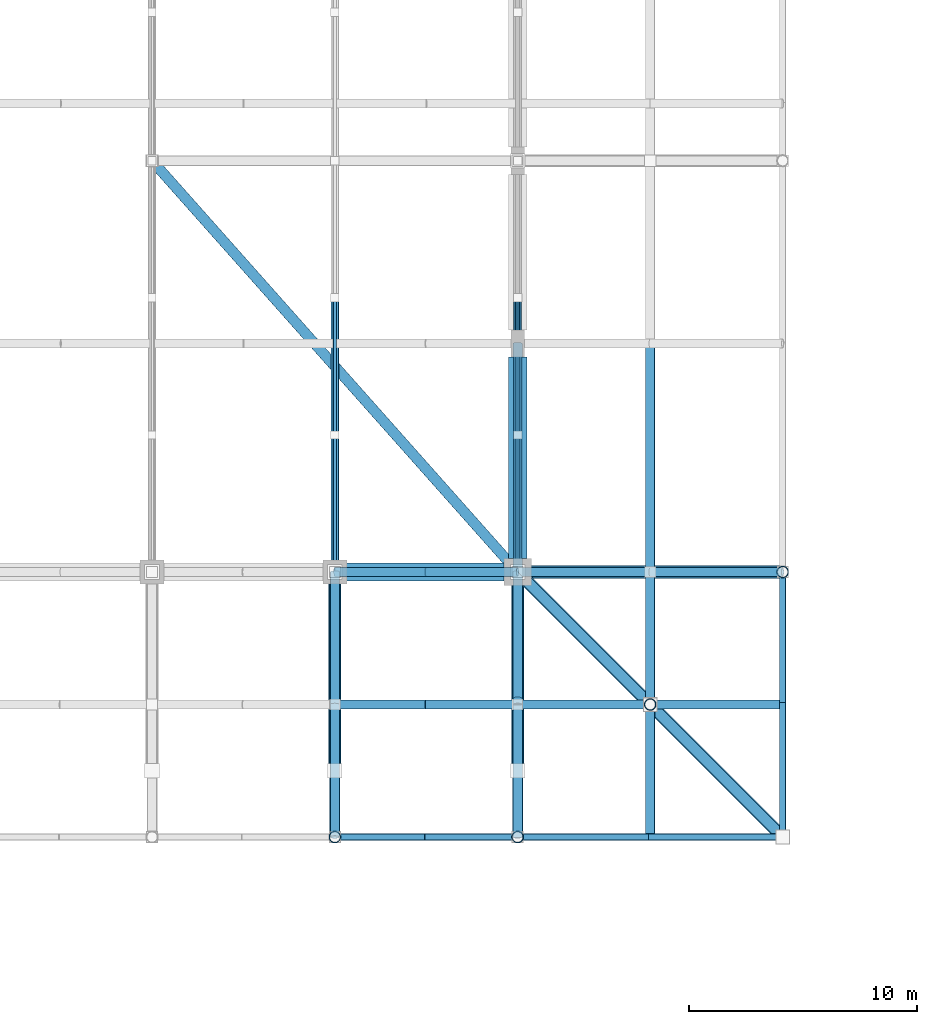
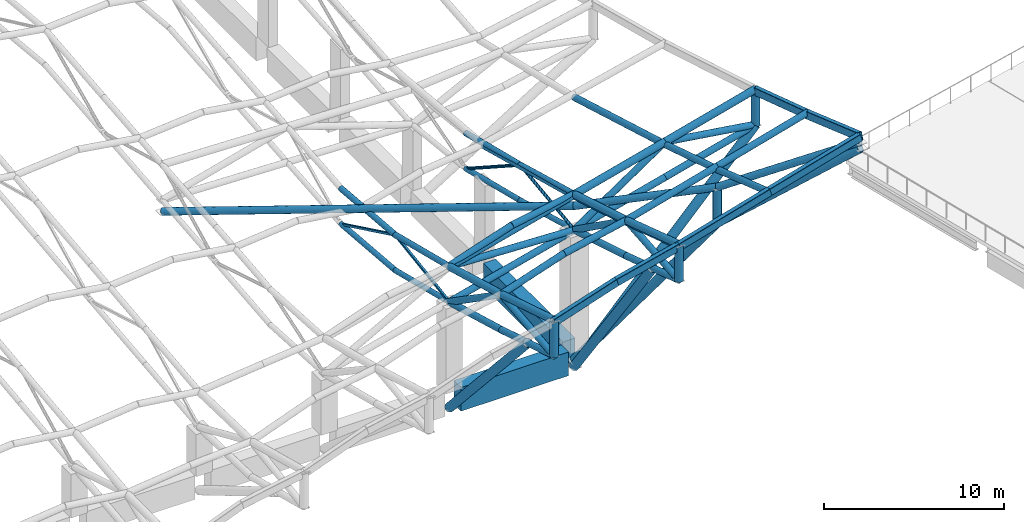
# One storey, part 22 of 75: 57 members, 8 beams.
"""IFC4 building model written with IfcOpenShell, lengths in metres."""

from ifc_helpers import new_model, si_unit, direction, frame, origin, origin_2d, place, context, subcontext, project, spatial, rectangle, hollow_rectangle, hollow_circle, extrude, material, material_profile, profile_set, type_object, element, save


model = new_model("IFC4")

# Units and contexts
model_context = context("Model", 3, precision=1e-05, world=origin(), true_north=direction((0.0, 1.0)))
body_context = subcontext(model_context, "Body", "Model", "MODEL_VIEW")
ifc_project = project(units=[si_unit("LENGTHUNIT", "METRE"), si_unit("AREAUNIT", "SQUARE_METRE"), si_unit("VOLUMEUNIT", "CUBIC_METRE"), si_unit("PLANEANGLEUNIT", "RADIAN"), si_unit("MASSUNIT", "GRAM", prefix="KILO")], contexts=[model_context])

# Site, building, storey
site_placement = place(None, origin())
site = spatial("IfcSite", under=ifc_project, at=site_placement, CompositionType="ELEMENT")
building_placement = place(site_placement, origin())
building = spatial("IfcBuilding", under=site, at=building_placement, Name="Khorjan Park Terminus", CompositionType="ELEMENT")
storey_placement = place(building_placement, frame((0.0, 0.0, 16.2)))
storey = spatial("IfcBuildingStorey", under=building, at=storey_placement, Name="L03", CompositionType="ELEMENT", Elevation=16.2)

# Members
ifc_material_1 = material(Name="Steel S355", Category="steel")
ifc_material_profile_1 = material_profile(ifc_material_1, hollow_circle(Radius=0.0969, WallThickness=0.01, at=origin_2d()), Name="CHS 193.7x10")
ifc_profile_set_1 = profile_set([ifc_material_profile_1], Name="Steel S355")
member_type_1 = type_object("IfcMemberType", Name="MB-BR-194", PredefinedType="BRACE", material=ifc_profile_set_1)
member_1_placement = place(storey_placement, frame((136.0, 26.0, 7.8196), z_axis=(0.0, 0.992247315967, 0.124278976325), x_axis=(-1.0, 0.0, 0.0)))
element("IfcMember", 1, at=member_1_placement, inside=storey, type_object=member_type_1, Name="Upper shell fold space-truss web diagonal (12)", PredefinedType="BRACE", context=body_context, shape_type="SweptSolid", body=[
    extrude(hollow_circle(Radius=0.0969, WallThickness=0.01, at=origin_2d()), origin(), (0.0, 0.0, 1.0), 6.0469),
])
member_2_placement = place(storey_placement, frame((136.0, 32.0, 8.5711), z_axis=(0.0, 0.839222492699, -0.543788201186), x_axis=(-1.0, 0.0, 0.0)))
element("IfcMember", 2, at=member_2_placement, inside=storey, type_object=member_type_1, Name="Upper shell fold space-truss web diagonal (12)", PredefinedType="BRACE", context=body_context, shape_type="SweptSolid", body=[
    extrude(hollow_circle(Radius=0.0969, WallThickness=0.01, at=origin_2d()), origin(), (0.0, 0.0, 1.0), 7.1495),
])
ifc_material_profile_2 = material_profile(ifc_material_1, hollow_rectangle(XDim=0.15, YDim=0.15, WallThickness=0.01, InnerFilletRadius=0.01, OuterFilletRadius=0.02, at=origin_2d()), Name="SHS 150x150x10")
ifc_profile_set_2 = profile_set([ifc_material_profile_2], Name="Steel S355")
member_type_2 = type_object("IfcMemberType", Name="MB-BR-SHS150", PredefinedType="BRACE", material=ifc_profile_set_2)
member_3_placement = place(storey_placement, frame((128.0, 26.0, 5.741), z_axis=(0.0, 0.988987074214, 0.148001915656), x_axis=(-1.0, 0.0, 0.0)))
element("IfcMember", 3, at=member_3_placement, inside=storey, type_object=member_type_2, Name="Upper shell fold space-truss web diagonal (11)", PredefinedType="BRACE", context=body_context, shape_type="SweptSolid", body=[
    extrude(hollow_rectangle(XDim=0.15, YDim=0.15, WallThickness=0.01, InnerFilletRadius=0.01, OuterFilletRadius=0.02, at=origin_2d()), origin(), (0.0, 0.0, 1.0), 6.0668),
])
member_4_placement = place(storey_placement, frame((128.0, 32.0, 6.6389), z_axis=(0.0, 0.900443010963, -0.434974003829), x_axis=(-1.0, 0.0, 0.0)))
element("IfcMember", 4, at=member_4_placement, inside=storey, type_object=member_type_2, Name="Upper shell fold space-truss web diagonal (11)", PredefinedType="BRACE", context=body_context, shape_type="SweptSolid", body=[
    extrude(hollow_rectangle(XDim=0.15, YDim=0.15, WallThickness=0.01, InnerFilletRadius=0.01, OuterFilletRadius=0.02, at=origin_2d()), origin(), (0.0, 0.0, 1.0), 6.6634),
])
ifc_material_profile_3 = material_profile(ifc_material_1, hollow_circle(Radius=0.162, WallThickness=0.0125, at=origin_2d()), Name="CHS 323.9x12.5")
ifc_profile_set_3 = profile_set([ifc_material_profile_3], Name="Steel S355")
member_type_3 = type_object("IfcMemberType", Name="MB-CH-324", PredefinedType="CHORD", material=ifc_profile_set_3)
member_5_placement = place(storey_placement, frame((128.0, 26.0, 5.741), z_axis=(0.0, 0.970062560013, -0.242855161899), x_axis=(-1.0, 0.0, 0.0)))
element("IfcMember", 5, at=member_5_placement, inside=storey, type_object=member_type_3, Name="Upper shell fold space-truss bottom chord (11)", PredefinedType="CHORD", context=body_context, shape_type="SweptSolid", body=[
    extrude(hollow_circle(Radius=0.162, WallThickness=0.0125, at=origin_2d()), origin(), (0.0, 0.0, 1.0), 6.1852),
])
member_6_placement = place(storey_placement, frame((128.0, 32.0, 4.2389), z_axis=(0.0, 0.996567716516, -0.082781558319), x_axis=(-1.0, 0.0, 0.0)))
element("IfcMember", 6, at=member_6_placement, inside=storey, type_object=member_type_3, Name="Upper shell fold space-truss bottom chord (11)", PredefinedType="CHORD", context=body_context, shape_type="SweptSolid", body=[
    extrude(hollow_circle(Radius=0.162, WallThickness=0.0125, at=origin_2d()), origin(), (0.0, 0.0, 1.0), 6.0207),
])
member_7_placement = place(storey_placement, frame((136.0, 26.0, 7.8196), z_axis=(0.0, 0.964266999163, -0.26493235802), x_axis=(-1.0, 0.0, 0.0)))
element("IfcMember", 7, at=member_7_placement, inside=storey, type_object=member_type_3, Name="Upper shell fold space-truss bottom chord (12)", PredefinedType="CHORD", context=body_context, shape_type="SweptSolid", body=[
    extrude(hollow_circle(Radius=0.162, WallThickness=0.0125, at=origin_2d()), origin(), (0.0, 0.0, 1.0), 6.2223),
])
member_8_placement = place(storey_placement, frame((136.0, 32.0, 6.1711), z_axis=(0.0, 0.970605089876, -0.240677708786), x_axis=(-1.0, 0.0, 0.0)))
element("IfcMember", 8, at=member_8_placement, inside=storey, type_object=member_type_3, Name="Upper shell fold space-truss bottom chord (12)", PredefinedType="CHORD", context=body_context, shape_type="SweptSolid", body=[
    extrude(hollow_circle(Radius=0.162, WallThickness=0.0125, at=origin_2d()), origin(), (0.0, 0.0, 1.0), 6.1817),
])
ifc_material_profile_4 = material_profile(ifc_material_1, hollow_circle(Radius=0.1778, WallThickness=0.016, at=origin_2d()), Name="CHS 355.6x16")
ifc_profile_set_4 = profile_set([ifc_material_profile_4], Name="Steel S355")
member_type_4 = type_object("IfcMemberType", Name="MB-CH-356", PredefinedType="CHORD", material=ifc_profile_set_4)
member_9_placement = place(storey_placement, frame((128.0, 26.0, 8.141), z_axis=(0.0, 0.970062560013, -0.242855161899), x_axis=(-1.0, 0.0, 0.0)))
element("IfcMember", 9, at=member_9_placement, inside=storey, type_object=member_type_4, Name="Upper shell fold space-truss top chord (11)", PredefinedType="CHORD", context=body_context, shape_type="SweptSolid", body=[
    extrude(hollow_circle(Radius=0.1778, WallThickness=0.016, at=origin_2d()), origin(), (0.0, 0.0, 1.0), 6.1852),
])
member_10_placement = place(storey_placement, frame((128.0, 32.0, 6.6389), z_axis=(0.0, 0.996567716516, -0.082781558319), x_axis=(-1.0, 0.0, 0.0)))
element("IfcMember", 10, at=member_10_placement, inside=storey, type_object=member_type_4, Name="Upper shell fold space-truss top chord (11)", PredefinedType="CHORD", context=body_context, shape_type="SweptSolid", body=[
    extrude(hollow_circle(Radius=0.1778, WallThickness=0.016, at=origin_2d()), origin(), (0.0, 0.0, 1.0), 6.0207),
])
member_11_placement = place(storey_placement, frame((136.0, 26.0, 10.2196), z_axis=(0.0, 0.964266999163, -0.26493235802), x_axis=(-1.0, 0.0, 0.0)))
element("IfcMember", 11, at=member_11_placement, inside=storey, type_object=member_type_4, Name="Upper shell fold space-truss top chord (12)", PredefinedType="CHORD", context=body_context, shape_type="SweptSolid", body=[
    extrude(hollow_circle(Radius=0.1778, WallThickness=0.016, at=origin_2d()), origin(), (0.0, 0.0, 1.0), 6.2223),
])
member_12_placement = place(storey_placement, frame((136.0, 32.0, 8.5711), z_axis=(0.0, 0.970605089876, -0.240677708786), x_axis=(-1.0, 0.0, 0.0)))
element("IfcMember", 12, at=member_12_placement, inside=storey, type_object=member_type_4, Name="Upper shell fold space-truss top chord (12)", PredefinedType="CHORD", context=body_context, shape_type="SweptSolid", body=[
    extrude(hollow_circle(Radius=0.1778, WallThickness=0.016, at=origin_2d()), origin(), (0.0, 0.0, 1.0), 6.1817),
])
ifc_material_profile_5 = material_profile(ifc_material_1, hollow_circle(Radius=0.2032, WallThickness=0.016, at=origin_2d()), Name="CHS 406.4x16")
ifc_profile_set_5 = profile_set([ifc_material_profile_5], Name="Steel S355")
member_type_5 = type_object("IfcMemberType", Name="MB-CH-406", PredefinedType="CHORD", material=ifc_profile_set_5)
member_13_placement = place(storey_placement, frame((128.0, 26.0, 5.741), z_axis=(0.967863743129, 0.0, 0.251475197059), x_axis=(0.0, 1.0, 0.0)))
element("IfcMember", 13, at=member_13_placement, inside=storey, type_object=member_type_5, Name="Upper shell longitudinal truss bottom chord (E1)", PredefinedType="CHORD", context=body_context, shape_type="SweptSolid", body=[
    extrude(hollow_circle(Radius=0.2032, WallThickness=0.016, at=origin_2d()), origin(), (0.0, 0.0, 1.0), 8.2656),
])
ifc_material_profile_6 = material_profile(ifc_material_1, hollow_circle(Radius=0.2285, WallThickness=0.016, at=origin_2d()), Name="CHS 457x16")
ifc_profile_set_6 = profile_set([ifc_material_profile_6], Name="Steel S355")
member_type_6 = type_object("IfcMemberType", Name="MB-CH-457", PredefinedType="CHORD", material=ifc_profile_set_6)
member_14_placement = place(storey_placement, frame((128.0, 26.0, 8.141), z_axis=(0.967863743129, 0.0, 0.251475197059), x_axis=(0.0, 1.0, 0.0)))
element("IfcMember", 14, at=member_14_placement, inside=storey, type_object=member_type_6, Name="Upper shell longitudinal truss top chord (E1)", PredefinedType="CHORD", context=body_context, shape_type="SweptSolid", body=[
    extrude(hollow_circle(Radius=0.2285, WallThickness=0.016, at=origin_2d()), origin(), (0.0, 0.0, 1.0), 8.2656),
])
ifc_material_profile_7 = material_profile(ifc_material_1, hollow_circle(Radius=0.2032, WallThickness=0.016, at=origin_2d()), Name="CHS 406.4x16")
ifc_profile_set_7 = profile_set([ifc_material_profile_7], Name="Steel S355")
member_type_7 = type_object("IfcMemberType", Name="MB-CHE-406", PredefinedType="CHORD", material=ifc_profile_set_7)
member_15_placement = place(storey_placement, frame((136.0, 14.4, 13.7621), z_axis=(0.0, 0.950488250775, -0.310760494818), x_axis=(-1.0, 0.0, 0.0)))
element("IfcMember", 15, at=member_15_placement, inside=storey, type_object=member_type_7, Name="Upper shell overhang fold purlin TCE-41 (Y21)", PredefinedType="CHORD", context=body_context, shape_type="SweptSolid", body=[
    extrude(hollow_circle(Radius=0.2032, WallThickness=0.016, at=origin_2d()), origin(), (0.0, 0.0, 1.0), 6.1021),
])
member_16_placement = place(storey_placement, frame((136.0, 20.2, 11.8658), z_axis=(0.0, 0.95754410517, -0.288286813181), x_axis=(-1.0, 0.0, 0.0)))
element("IfcMember", 16, at=member_16_placement, inside=storey, type_object=member_type_7, Name="Upper shell overhang fold purlin TCE-41 (Y22)", PredefinedType="CHORD", context=body_context, shape_type="SweptSolid", body=[
    extrude(hollow_circle(Radius=0.2032, WallThickness=0.016, at=origin_2d()), origin(), (0.0, 0.0, 1.0), 6.0572),
])
member_17_placement = place(storey_placement, frame((136.0, 26.0, 10.1196), z_axis=(0.0, 0.966438351588, -0.256898642619), x_axis=(-1.0, 0.0, 0.0)))
element("IfcMember", 17, at=member_17_placement, inside=storey, type_object=member_type_7, Name="Upper shell overhang fold purlin TCE-41 (Y23)", PredefinedType="CHORD", context=body_context, shape_type="SweptSolid", body=[
    extrude(hollow_circle(Radius=0.2032, WallThickness=0.016, at=origin_2d()), origin(), (0.0, 0.0, 1.0), 10.3473),
])
member_18_placement = place(storey_placement, frame((141.8, 14.4, 15.3711), z_axis=(0.0, 0.947051068771, -0.321082969247), x_axis=(-1.0, 0.0, 0.0)))
element("IfcMember", 18, at=member_18_placement, inside=storey, type_object=member_type_7, Name="Upper shell overhang fold purlin TCE-41 (Y31)", PredefinedType="CHORD", context=body_context, shape_type="SweptSolid", body=[
    extrude(hollow_circle(Radius=0.2032, WallThickness=0.016, at=origin_2d()), origin(), (0.0, 0.0, 1.0), 6.1243),
])
member_19_placement = place(storey_placement, frame((141.8, 20.2, 13.4047), z_axis=(0.0, 0.953789220294, -0.300476493676), x_axis=(-1.0, 0.0, 0.0)))
element("IfcMember", 19, at=member_19_placement, inside=storey, type_object=member_type_7, Name="Upper shell overhang fold purlin TCE-41 (Y32)", PredefinedType="CHORD", context=body_context, shape_type="SweptSolid", body=[
    extrude(hollow_circle(Radius=0.2032, WallThickness=0.016, at=origin_2d()), origin(), (0.0, 0.0, 1.0), 6.081),
])
member_20_placement = place(storey_placement, frame((141.8, 26.0, 11.5775), z_axis=(0.0, 0.960721582771, -0.277514036399), x_axis=(-1.0, 0.0, 0.0)))
element("IfcMember", 20, at=member_20_placement, inside=storey, type_object=member_type_7, Name="Upper shell overhang fold purlin TCE-41 (Y33)", PredefinedType="CHORD", context=body_context, shape_type="SweptSolid", body=[
    extrude(hollow_circle(Radius=0.2032, WallThickness=0.016, at=origin_2d()), origin(), (0.0, 0.0, 1.0), 10.4088),
])
member_21_placement = place(storey_placement, frame((128.0, 20.2, 9.8011), z_axis=(0.948279508814, 0.0, 0.317436565575), x_axis=(0.0, 1.0, 0.0)))
element("IfcMember", 21, at=member_21_placement, inside=storey, type_object=member_type_7, Name="Upper shell fold rib chord (63)", PredefinedType="CHORD", context=body_context, shape_type="SweptSolid", body=[
    extrude(hollow_circle(Radius=0.2032, WallThickness=0.016, at=origin_2d()), origin(), (0.0, 0.0, 1.0), 4.2182),
])
member_22_placement = place(storey_placement, frame((132.0, 20.2, 11.1401), z_axis=(0.977371995553, 0.0, 0.211527734137), x_axis=(0.0, 1.0, 0.0)))
element("IfcMember", 22, at=member_22_placement, inside=storey, type_object=member_type_7, Name="Upper shell fold rib chord (64)", PredefinedType="CHORD", context=body_context, shape_type="SweptSolid", body=[
    extrude(hollow_circle(Radius=0.2032, WallThickness=0.016, at=origin_2d()), origin(), (0.0, 0.0, 1.0), 4.0926),
])
member_23_placement = place(storey_placement, frame((136.0, 20.2, 12.0058), z_axis=(0.963612582455, 0.0, 0.267302807571), x_axis=(0.0, 1.0, 0.0)))
element("IfcMember", 23, at=member_23_placement, inside=storey, type_object=member_type_7, Name="Upper shell fold rib chord (65)", PredefinedType="CHORD", context=body_context, shape_type="SweptSolid", body=[
    extrude(hollow_circle(Radius=0.2032, WallThickness=0.016, at=origin_2d()), origin(), (0.0, 0.0, 1.0), 6.019),
])
member_24_placement = place(storey_placement, frame((141.8, 20.2, 13.6147), z_axis=(0.963239486929, 0.0, 0.268644171389), x_axis=(0.0, 1.0, 0.0)))
element("IfcMember", 24, at=member_24_placement, inside=storey, type_object=member_type_7, Name="Upper shell fold rib chord (66)", PredefinedType="CHORD", context=body_context, shape_type="SweptSolid", body=[
    extrude(hollow_circle(Radius=0.2032, WallThickness=0.016, at=origin_2d()), origin(), (0.0, 0.0, 1.0), 6.0213),
])
member_25_placement = place(storey_placement, frame((128.0, 26.0, 8.181), z_axis=(0.947528159205, 0.0, 0.319672312712), x_axis=(0.0, 1.0, 0.0)))
element("IfcMember", 25, at=member_25_placement, inside=storey, type_object=member_type_7, Name="Upper shell fold rib chord (87)", PredefinedType="CHORD", context=body_context, shape_type="SweptSolid", body=[
    extrude(hollow_circle(Radius=0.2032, WallThickness=0.016, at=origin_2d()), origin(), (0.0, 0.0, 1.0), 4.2215),
])
member_26_placement = place(storey_placement, frame((132.0, 26.0, 9.5305), z_axis=(0.983790717148, 0.0, 0.179320452968), x_axis=(0.0, 1.0, 0.0)))
element("IfcMember", 26, at=member_26_placement, inside=storey, type_object=member_type_7, Name="Upper shell fold rib chord (88)", PredefinedType="CHORD", context=body_context, shape_type="SweptSolid", body=[
    extrude(hollow_circle(Radius=0.2032, WallThickness=0.016, at=origin_2d()), origin(), (0.0, 0.0, 1.0), 4.0659),
])
member_27_placement = place(storey_placement, frame((128.0, 14.4, 9.1463), z_axis=(0.0, 0.955751926517, -0.294173851589), x_axis=(-1.0, 0.0, 0.0)))
element("IfcMember", 27, at=member_27_placement, inside=storey, type_object=member_type_7, Name="Upper shell fold space-truss bottom chord (11)", PredefinedType="CHORD", context=body_context, shape_type="SweptSolid", body=[
    extrude(hollow_circle(Radius=0.2032, WallThickness=0.016, at=origin_2d()), origin(), (0.0, 0.0, 1.0), 6.0685),
])
member_28_placement = place(storey_placement, frame((128.0, 20.2, 7.3611), z_axis=(0.0, 0.963131983886, -0.269029332258), x_axis=(-1.0, 0.0, 0.0)))
element("IfcMember", 28, at=member_28_placement, inside=storey, type_object=member_type_7, Name="Upper shell fold space-truss bottom chord (11)", PredefinedType="CHORD", context=body_context, shape_type="SweptSolid", body=[
    extrude(hollow_circle(Radius=0.2032, WallThickness=0.016, at=origin_2d()), origin(), (0.0, 0.0, 1.0), 6.022),
])
member_29_placement = place(storey_placement, frame((136.0, 14.4, 11.4621), z_axis=(0.0, 0.950488250775, -0.310760494818), x_axis=(-1.0, 0.0, 0.0)))
element("IfcMember", 29, at=member_29_placement, inside=storey, type_object=member_type_7, Name="Upper shell fold space-truss bottom chord (12)", PredefinedType="CHORD", context=body_context, shape_type="SweptSolid", body=[
    extrude(hollow_circle(Radius=0.2032, WallThickness=0.016, at=origin_2d()), origin(), (0.0, 0.0, 1.0), 6.1021),
])
member_30_placement = place(storey_placement, frame((136.0, 20.2, 9.5658), z_axis=(0.0, 0.95754410517, -0.288286813181), x_axis=(-1.0, 0.0, 0.0)))
element("IfcMember", 30, at=member_30_placement, inside=storey, type_object=member_type_7, Name="Upper shell fold space-truss bottom chord (12)", PredefinedType="CHORD", context=body_context, shape_type="SweptSolid", body=[
    extrude(hollow_circle(Radius=0.2032, WallThickness=0.016, at=origin_2d()), origin(), (0.0, 0.0, 1.0), 6.0572),
])
member_31_placement = place(storey_placement, frame((136.0, 26.0, 7.8196), z_axis=(0.967009499939, 0.0, 0.254740312923), x_axis=(0.0, 1.0, 0.0)))
element("IfcMember", 31, at=member_31_placement, inside=storey, type_object=member_type_7, Name="Upper shell longitudinal truss bottom chord (E1)", PredefinedType="CHORD", context=body_context, shape_type="SweptSolid", body=[
    extrude(hollow_circle(Radius=0.2032, WallThickness=0.016, at=origin_2d()), origin(), (0.0, 0.0, 1.0), 5.9979),
])
member_32_placement = place(storey_placement, frame((141.8, 26.0, 9.3475), z_axis=(0.96628745768, 0.0, 0.257465627086), x_axis=(0.0, 1.0, 0.0)))
element("IfcMember", 32, at=member_32_placement, inside=storey, type_object=member_type_7, Name="Upper shell longitudinal truss bottom chord (E1)", PredefinedType="CHORD", context=body_context, shape_type="SweptSolid", body=[
    extrude(hollow_circle(Radius=0.2032, WallThickness=0.016, at=origin_2d()), origin(), (0.0, 0.0, 1.0), 6.0024),
])
ifc_material_profile_8 = material_profile(ifc_material_1, hollow_circle(Radius=0.2285, WallThickness=0.016, at=origin_2d()), Name="CHS 457x16")
ifc_profile_set_8 = profile_set([ifc_material_profile_8], Name="Steel S355")
member_type_8 = type_object("IfcMemberType", Name="MB-CHE-457", PredefinedType="CHORD", material=ifc_profile_set_8)
member_33_placement = place(storey_placement, frame((128.0, 14.4, 11.5463), z_axis=(0.0, 0.955751926517, -0.294173851589), x_axis=(-1.0, 0.0, 0.0)))
element("IfcMember", 33, at=member_33_placement, inside=storey, type_object=member_type_8, Name="Upper shell fold space-truss top chord (11)", PredefinedType="CHORD", context=body_context, shape_type="SweptSolid", body=[
    extrude(hollow_circle(Radius=0.2285, WallThickness=0.016, at=origin_2d()), origin(), (0.0, 0.0, 1.0), 6.0685),
])
member_34_placement = place(storey_placement, frame((128.0, 20.2, 9.7611), z_axis=(0.0, 0.963131983886, -0.269029332258), x_axis=(-1.0, 0.0, 0.0)))
element("IfcMember", 34, at=member_34_placement, inside=storey, type_object=member_type_8, Name="Upper shell fold space-truss top chord (11)", PredefinedType="CHORD", context=body_context, shape_type="SweptSolid", body=[
    extrude(hollow_circle(Radius=0.2285, WallThickness=0.016, at=origin_2d()), origin(), (0.0, 0.0, 1.0), 6.022),
])
member_35_placement = place(storey_placement, frame((136.0, 14.4, 13.8621), z_axis=(0.0, 0.950488250775, -0.310760494818), x_axis=(-1.0, 0.0, 0.0)))
element("IfcMember", 35, at=member_35_placement, inside=storey, type_object=member_type_8, Name="Upper shell fold space-truss top chord (12)", PredefinedType="CHORD", context=body_context, shape_type="SweptSolid", body=[
    extrude(hollow_circle(Radius=0.2285, WallThickness=0.016, at=origin_2d()), origin(), (0.0, 0.0, 1.0), 6.1021),
])
member_36_placement = place(storey_placement, frame((136.0, 20.2, 11.9658), z_axis=(0.0, 0.95754410517, -0.288286813181), x_axis=(-1.0, 0.0, 0.0)))
element("IfcMember", 36, at=member_36_placement, inside=storey, type_object=member_type_8, Name="Upper shell fold space-truss top chord (12)", PredefinedType="CHORD", context=body_context, shape_type="SweptSolid", body=[
    extrude(hollow_circle(Radius=0.2285, WallThickness=0.016, at=origin_2d()), origin(), (0.0, 0.0, 1.0), 6.0572),
])
member_37_placement = place(storey_placement, frame((136.0, 26.0, 10.2196), z_axis=(0.967009499939, 0.0, 0.254740312923), x_axis=(0.0, 1.0, 0.0)))
element("IfcMember", 37, at=member_37_placement, inside=storey, type_object=member_type_8, Name="Upper shell longitudinal truss top chord (E1)", PredefinedType="CHORD", context=body_context, shape_type="SweptSolid", body=[
    extrude(hollow_circle(Radius=0.2285, WallThickness=0.016, at=origin_2d()), origin(), (0.0, 0.0, 1.0), 5.9979),
])
member_38_placement = place(storey_placement, frame((141.8, 26.0, 11.7475), z_axis=(0.96628745768, 0.0, 0.257465627086), x_axis=(0.0, 1.0, 0.0)))
element("IfcMember", 38, at=member_38_placement, inside=storey, type_object=member_type_8, Name="Upper shell longitudinal truss top chord (E1)", PredefinedType="CHORD", context=body_context, shape_type="SweptSolid", body=[
    extrude(hollow_circle(Radius=0.2285, WallThickness=0.016, at=origin_2d()), origin(), (0.0, 0.0, 1.0), 6.0024),
])
member_39_placement = place(storey_placement, frame((120.0, 44.0, 3.7524), z_axis=(0.646519748924, -0.727334717539, 0.230209519598), x_axis=(0.747409318684, 0.66436383883, 0.0)))
element("IfcMember", 39, at=member_39_placement, inside=storey, type_object=member_type_8, Name="Upper shell upturned corner spine truss TCE-46 (SE)", PredefinedType="CHORD", context=body_context, shape_type="SweptSolid", body=[
    extrude(hollow_circle(Radius=0.2285, WallThickness=0.016, at=origin_2d()), origin(), (0.0, 0.0, 1.0), 24.7479),
])
member_40_placement = place(storey_placement, frame((136.0, 26.0, 9.4496), z_axis=(0.6703049189, -0.6703049189, 0.318406393459), x_axis=(0.707106781187, 0.707106781187, 0.0)))
element("IfcMember", 40, at=member_40_placement, inside=storey, type_object=member_type_8, Name="Upper shell upturned corner spine truss TCE-46 (SE)", PredefinedType="CHORD", context=body_context, shape_type="SweptSolid", body=[
    extrude(hollow_circle(Radius=0.2285, WallThickness=0.016, at=origin_2d()), origin(), (0.0, 0.0, 1.0), 8.6528),
])
member_41_placement = place(storey_placement, frame((141.8, 20.2, 12.2047), z_axis=(0.61849383505, -0.61849383505, 0.48469655663), x_axis=(0.707106781187, 0.707106781187, 0.0)))
element("IfcMember", 41, at=member_41_placement, inside=storey, type_object=member_type_8, Name="Upper shell upturned corner spine truss TCE-46 (SE)", PredefinedType="CHORD", context=body_context, shape_type="SweptSolid", body=[
    extrude(hollow_circle(Radius=0.2285, WallThickness=0.016, at=origin_2d()), origin(), (0.0, 0.0, 1.0), 9.3776),
])
ifc_material_profile_9 = material_profile(ifc_material_1, hollow_circle(Radius=0.2032, WallThickness=0.016, at=origin_2d()), Name="CHS 406.4x16")
ifc_profile_set_9 = profile_set([ifc_material_profile_9], Name="Steel S355")
member_type_9 = type_object("IfcMemberType", Name="MB-ST-406", PredefinedType="STRUT", material=ifc_profile_set_9)
member_42_placement = place(storey_placement, frame((128.0, 26.0, 8.141), z_axis=(0.999193960286, 0.0, -0.040142617354), x_axis=(0.0, 1.0, 0.0)))
element("IfcMember", 42, at=member_42_placement, inside=storey, type_object=member_type_9, Name="Upper shell longitudinal truss diagonal (E1)", PredefinedType="STRUT", context=body_context, shape_type="SweptSolid", body=[
    extrude(hollow_circle(Radius=0.2032, WallThickness=0.016, at=origin_2d()), origin(), (0.0, 0.0, 1.0), 8.0065),
])
ifc_material_profile_10 = material_profile(ifc_material_1, hollow_circle(Radius=0.2795, WallThickness=0.02, at=origin_2d()), Name="CHS 559x20")
ifc_profile_set_10 = profile_set([ifc_material_profile_10], Name="Steel S355")
member_type_10 = type_object("IfcMemberType", Name="MB-ST-CHS559", PredefinedType="STRUT", material=ifc_profile_set_10)
member_43_placement = place(storey_placement, frame((128.0, 26.0, -1.4), z_axis=(0.0, -0.669460715614, 0.742847460957), x_axis=(1.0, 0.0, 0.0)))
element("IfcMember", 43, at=member_43_placement, inside=storey, type_object=member_type_10, Name="Upper shell raked overhang V-strut STE-56 (11S)", PredefinedType="STRUT", context=body_context, shape_type="SweptSolid", body=[
    extrude(hollow_circle(Radius=0.2795, WallThickness=0.02, at=origin_2d()), origin(), (0.0, 0.0, 1.0), 12.9955),
])
member_44_placement = place(storey_placement, frame((136.0, 26.0, -1.4), z_axis=(0.0, -0.589737657824, 0.807594882936), x_axis=(1.0, 0.0, 0.0)))
element("IfcMember", 44, at=member_44_placement, inside=storey, type_object=member_type_10, Name="Upper shell raked overhang V-strut STE-56 (12S)", PredefinedType="STRUT", context=body_context, shape_type="SweptSolid", body=[
    extrude(hollow_circle(Radius=0.2795, WallThickness=0.02, at=origin_2d()), origin(), (0.0, 0.0, 1.0), 14.7523),
])
member_45_placement = place(storey_placement, frame((136.0, 26.0, -1.4), z_axis=(0.686311971477, 0.0, 0.727307278808), x_axis=(0.0, 1.0, 0.0)))
element("IfcMember", 45, at=member_45_placement, inside=storey, type_object=member_type_10, Name="Upper shell raked longitudinal V-strut STE-56 (E1)", PredefinedType="STRUT", context=body_context, shape_type="SweptSolid", body=[
    extrude(hollow_circle(Radius=0.2795, WallThickness=0.02, at=origin_2d()), origin(), (0.0, 0.0, 1.0), 16.9019),
])
member_46_placement = place(storey_placement, frame((136.0, 26.0, -1.0), z_axis=(0.427556645148, -0.427556645148, 0.796486428246), x_axis=(0.707106781187, 0.707106781187, 0.0)))
element("IfcMember", 46, at=member_46_placement, inside=storey, type_object=member_type_10, Name="Upper shell upturned corner spine truss STE-56 (SE)", PredefinedType="STRUT", context=body_context, shape_type="SweptSolid", body=[
    extrude(hollow_circle(Radius=0.2795, WallThickness=0.02, at=origin_2d()), origin(), (0.0, 0.0, 1.0), 13.5655),
])
member_47_placement = place(storey_placement, frame((141.8, 20.2, 9.8047), z_axis=(0.552704518126, -0.552704518126, 0.623727048705), x_axis=(0.707106781187, 0.707106781187, 0.0)))
element("IfcMember", 47, at=member_47_placement, inside=storey, type_object=member_type_10, Name="Upper shell upturned corner spine truss STE-56 (SE)", PredefinedType="STRUT", context=body_context, shape_type="SweptSolid", body=[
    extrude(hollow_circle(Radius=0.2795, WallThickness=0.02, at=origin_2d()), origin(), (0.0, 0.0, 1.0), 10.4939),
])
ifc_material_profile_11 = material_profile(ifc_material_1, hollow_circle(Radius=0.2032, WallThickness=0.016, at=origin_2d()), Name="CHS 406.4x16")
ifc_profile_set_11 = profile_set([ifc_material_profile_11], Name="Steel S355")
member_type_11 = type_object("IfcMemberType", Name="MB-STE-406", PredefinedType="STRUT", material=ifc_profile_set_11)
member_48_placement = place(storey_placement, frame((128.0, 14.4, 9.1463), z_axis=(0.0, 0.994428903913, 0.105409463815), x_axis=(-1.0, 0.0, 0.0)))
element("IfcMember", 48, at=member_48_placement, inside=storey, type_object=member_type_11, Name="Upper shell fold space-truss web diagonal (11)", PredefinedType="STRUT", context=body_context, shape_type="SweptSolid", body=[
    extrude(hollow_circle(Radius=0.2032, WallThickness=0.016, at=origin_2d()), origin(), (0.0, 0.0, 1.0), 5.8325),
])
member_49_placement = place(storey_placement, frame((128.0, 20.2, 9.7611), z_axis=(0.0, 0.821879356644, -0.56966158649), x_axis=(-1.0, 0.0, 0.0)))
element("IfcMember", 49, at=member_49_placement, inside=storey, type_object=member_type_11, Name="Upper shell fold space-truss web diagonal (11)", PredefinedType="STRUT", context=body_context, shape_type="SweptSolid", body=[
    extrude(hollow_circle(Radius=0.2032, WallThickness=0.016, at=origin_2d()), origin(), (0.0, 0.0, 1.0), 7.057),
])
member_50_placement = place(storey_placement, frame((136.0, 14.4, 11.4621), z_axis=(0.0, 0.996250185573, 0.086519175599), x_axis=(-1.0, 0.0, 0.0)))
element("IfcMember", 50, at=member_50_placement, inside=storey, type_object=member_type_11, Name="Upper shell fold space-truss web diagonal (12)", PredefinedType="STRUT", context=body_context, shape_type="SweptSolid", body=[
    extrude(hollow_circle(Radius=0.2032, WallThickness=0.016, at=origin_2d()), origin(), (0.0, 0.0, 1.0), 5.8218),
])
member_51_placement = place(storey_placement, frame((136.0, 20.2, 11.9658), z_axis=(0.0, 0.813511648552, -0.581548620212), x_axis=(-1.0, 0.0, 0.0)))
element("IfcMember", 51, at=member_51_placement, inside=storey, type_object=member_type_11, Name="Upper shell fold space-truss web diagonal (12)", PredefinedType="STRUT", context=body_context, shape_type="SweptSolid", body=[
    extrude(hollow_circle(Radius=0.2032, WallThickness=0.016, at=origin_2d()), origin(), (0.0, 0.0, 1.0), 7.1296),
])
member_52_placement = place(storey_placement, frame((136.0, 26.0, 7.8196), z_axis=(0.827993737699, 0.0, 0.560737345226), x_axis=(0.0, 1.0, 0.0)))
element("IfcMember", 52, at=member_52_placement, inside=storey, type_object=member_type_11, Name="Upper shell longitudinal truss diagonal (E1)", PredefinedType="STRUT", context=body_context, shape_type="SweptSolid", body=[
    extrude(hollow_circle(Radius=0.2032, WallThickness=0.016, at=origin_2d()), origin(), (0.0, 0.0, 1.0), 7.0049),
])
member_53_placement = place(storey_placement, frame((141.8, 26.0, 11.7475), z_axis=(0.989318367267, 0.0, -0.145770944253), x_axis=(0.0, 1.0, 0.0)))
element("IfcMember", 53, at=member_53_placement, inside=storey, type_object=member_type_11, Name="Upper shell longitudinal truss diagonal (E1)", PredefinedType="STRUT", context=body_context, shape_type="SweptSolid", body=[
    extrude(hollow_circle(Radius=0.2032, WallThickness=0.016, at=origin_2d()), origin(), (0.0, 0.0, 1.0), 5.8626),
])
ifc_material_profile_12 = material_profile(ifc_material_1, hollow_circle(Radius=0.254, WallThickness=0.02, at=origin_2d()), Name="CHS 508x20")
ifc_profile_set_12 = profile_set([ifc_material_profile_12], Name="Steel S355")
member_type_12 = type_object("IfcMemberType", Name="MB-STE-508", PredefinedType="STRUT", material=ifc_profile_set_12)
for number, where, z_axis, x_axis, name in (
    (54, (128.0, 14.4, 9.1463), (0.0, 0.0, 1.0), (1.0, 0.0, 0.0), "Upper shell overhang tip post STE-51 (11S)"),
    (55, (136.0, 14.4, 11.4621), (0.0, 0.0, 1.0), (1.0, 0.0, 0.0), "Upper shell overhang tip post STE-51 (12S)"),
    (56, (147.6, 26.0, 10.8929), (0.0, 0.0, 1.0), (1.0, 0.0, 0.0), "Upper shell longitudinal tip post (E1)"),
    (57, (141.8, 20.2, 9.8047), (0.0, 0.0, 1.0), (1.0, 0.0, 0.0), "Upper shell upturned corner spine truss STE-51 (SE)"),
):
    element("IfcMember", number, at=place(storey_placement, frame(where, z_axis=z_axis, x_axis=x_axis)), inside=storey, type_object=member_type_12, Name=name, PredefinedType="STRUT", context=body_context, shape_type="SweptSolid", body=[
        extrude(hollow_circle(Radius=0.254, WallThickness=0.02, at=origin_2d()), origin(), (0.0, 0.0, 1.0), 2.4),
    ])

# Beams
ifc_material_2 = material(Name="Concrete C50/60", Category="concrete")
ifc_material_profile_13 = material_profile(ifc_material_2, rectangle(XDim=0.8, YDim=1.6, at=origin_2d()), Name="RC 800x1600")
ifc_profile_set_13 = profile_set([ifc_material_profile_13], Name="Concrete C50/60")
beam_type_1 = type_object("IfcBeamType", Name="SP-RC800x1600", PredefinedType="SPANDREL", material=ifc_profile_set_13)
beam_1_placement = place(storey_placement, frame((128.519, 26.0, -0.8), z_axis=(1.0, 0.0, 0.0), x_axis=(0.0, 1.0, 0.0)))
element("IfcBeam", 58, at=beam_1_placement, inside=storey, type_object=beam_type_1, Name="Concourse colonnade ring beam SP-16 (21)", PredefinedType="SPANDREL", context=body_context, shape_type="SweptSolid", body=[
    extrude(rectangle(XDim=0.8, YDim=1.6, at=origin_2d()), origin(), (0.0, 0.0, 1.0), 6.887),
])
beam_2_placement = place(storey_placement, frame((136.0, 26.594, -0.8), z_axis=(0.0, 1.0, 0.0), x_axis=(-1.0, 0.0, 0.0)))
element("IfcBeam", 59, at=beam_2_placement, inside=storey, type_object=beam_type_1, Name="Concourse colonnade ring beam SP-16 (24)", PredefinedType="SPANDREL", context=body_context, shape_type="SweptSolid", body=[
    extrude(rectangle(XDim=0.8, YDim=1.6, at=origin_2d()), origin(), (0.0, 0.0, 1.0), 8.812),
])
ifc_material_profile_14 = material_profile(ifc_material_1, hollow_rectangle(XDim=0.3, YDim=0.5, WallThickness=0.016, InnerFilletRadius=0.016, OuterFilletRadius=0.032, at=origin_2d()), Name="RHS 500x300x16")
ifc_profile_set_14 = profile_set([ifc_material_profile_14], Name="Steel S355")
beam_type_2 = type_object("IfcBeamType", Name="SP-RHS500", PredefinedType="SPANDREL", material=ifc_profile_set_14)
beam_3_placement = place(storey_placement, frame((128.0, 14.4, 11.4463), z_axis=(0.949550910694, 0.0, 0.313612927029), x_axis=(0.0, 1.0, 0.0)))
element("IfcBeam", 60, at=beam_3_placement, inside=storey, type_object=beam_type_2, Name="Upper folded shell upturned perimeter edge beam SP-R50 (23)", PredefinedType="SPANDREL", context=body_context, shape_type="SweptSolid", body=[
    extrude(hollow_rectangle(XDim=0.3, YDim=0.5, WallThickness=0.016, InnerFilletRadius=0.016, OuterFilletRadius=0.032, at=origin_2d()), origin(), (0.0, 0.0, 1.0), 4.2125),
])
beam_4_placement = place(storey_placement, frame((132.0, 14.4, 12.7674), z_axis=(0.970444295595, 0.0, 0.241325235207), x_axis=(0.0, 1.0, 0.0)))
element("IfcBeam", 61, at=beam_4_placement, inside=storey, type_object=beam_type_2, Name="Upper folded shell upturned perimeter edge beam SP-R50 (24)", PredefinedType="SPANDREL", context=body_context, shape_type="SweptSolid", body=[
    extrude(hollow_rectangle(XDim=0.3, YDim=0.5, WallThickness=0.016, InnerFilletRadius=0.016, OuterFilletRadius=0.032, at=origin_2d()), origin(), (0.0, 0.0, 1.0), 4.1218),
])
for number, where, z_axis, x_axis, name in (
    (62, (136.0, 14.4, 13.7621), (0.960561936259, 0.0, 0.278066119134), (0.0, 1.0, 0.0), "Upper folded shell upturned perimeter edge beam SP-R50 (25)"),
    (63, (141.8, 14.4, 15.4411), (0.960566359707, 0.0, 0.278050838157), (0.0, 1.0, 0.0), "Upper folded shell upturned perimeter edge beam SP-R50 (26)"),
):
    element("IfcBeam", number, at=place(storey_placement, frame(where, z_axis=z_axis, x_axis=x_axis)), inside=storey, type_object=beam_type_2, Name=name, PredefinedType="SPANDREL", context=body_context, shape_type="SweptSolid", body=[
        extrude(hollow_rectangle(XDim=0.3, YDim=0.5, WallThickness=0.016, InnerFilletRadius=0.016, OuterFilletRadius=0.032, at=origin_2d()), origin(), (0.0, 0.0, 1.0), 6.0381),
    ])
beam_5_placement = place(storey_placement, frame((147.6, 14.4, 17.12), z_axis=(0.0, 0.943975016582, -0.330016920883), x_axis=(-1.0, 0.0, 0.0)))
element("IfcBeam", 64, at=beam_5_placement, inside=storey, type_object=beam_type_2, Name="Upper folded shell upturned perimeter edge beam SP-R50 (63)", PredefinedType="SPANDREL", context=body_context, shape_type="SweptSolid", body=[
    extrude(hollow_rectangle(XDim=0.3, YDim=0.5, WallThickness=0.016, InnerFilletRadius=0.016, OuterFilletRadius=0.032, at=origin_2d()), origin(), (0.0, 0.0, 1.0), 6.1442),
])
beam_6_placement = place(storey_placement, frame((147.6, 20.2, 15.0923), z_axis=(0.0, 0.950338107828, -0.311219345174), x_axis=(-1.0, 0.0, 0.0)))
element("IfcBeam", 65, at=beam_6_placement, inside=storey, type_object=beam_type_2, Name="Upper folded shell upturned perimeter edge beam SP-R50 (64)", PredefinedType="SPANDREL", context=body_context, shape_type="SweptSolid", body=[
    extrude(hollow_rectangle(XDim=0.3, YDim=0.5, WallThickness=0.016, InnerFilletRadius=0.016, OuterFilletRadius=0.032, at=origin_2d()), origin(), (0.0, 0.0, 1.0), 6.1031),
])

save(model, "model.ifc")
